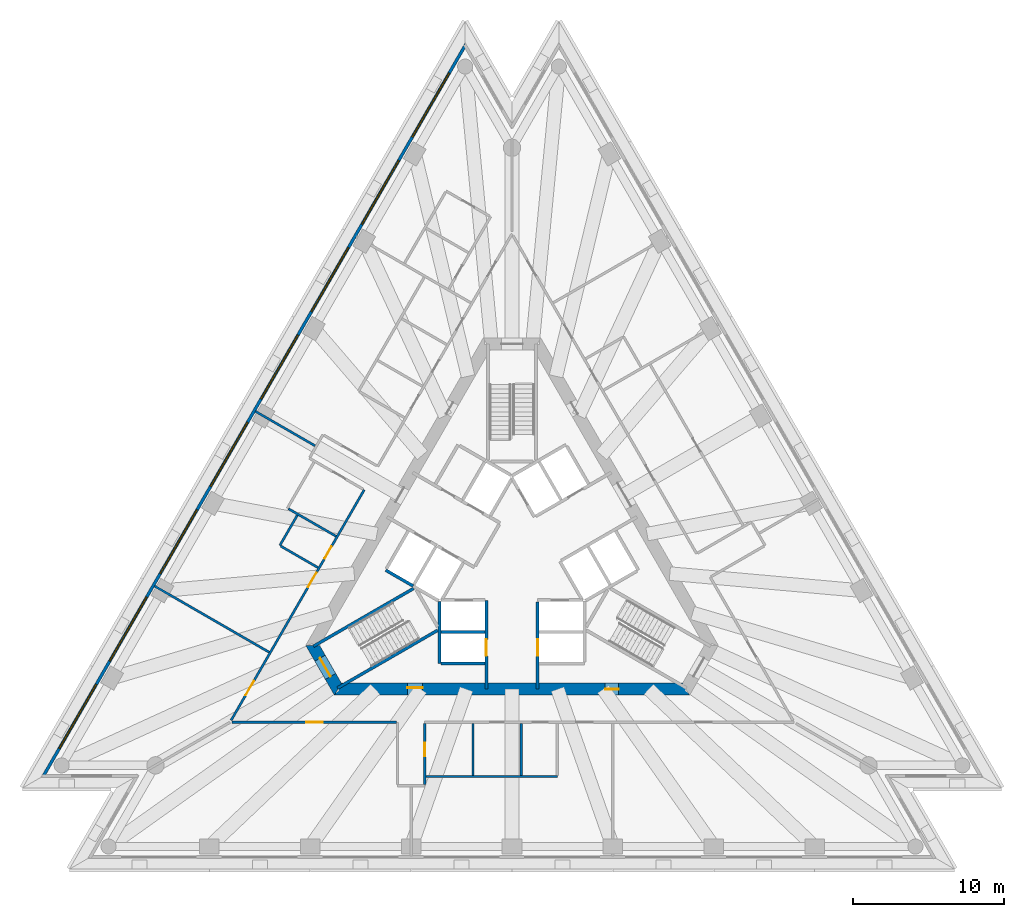
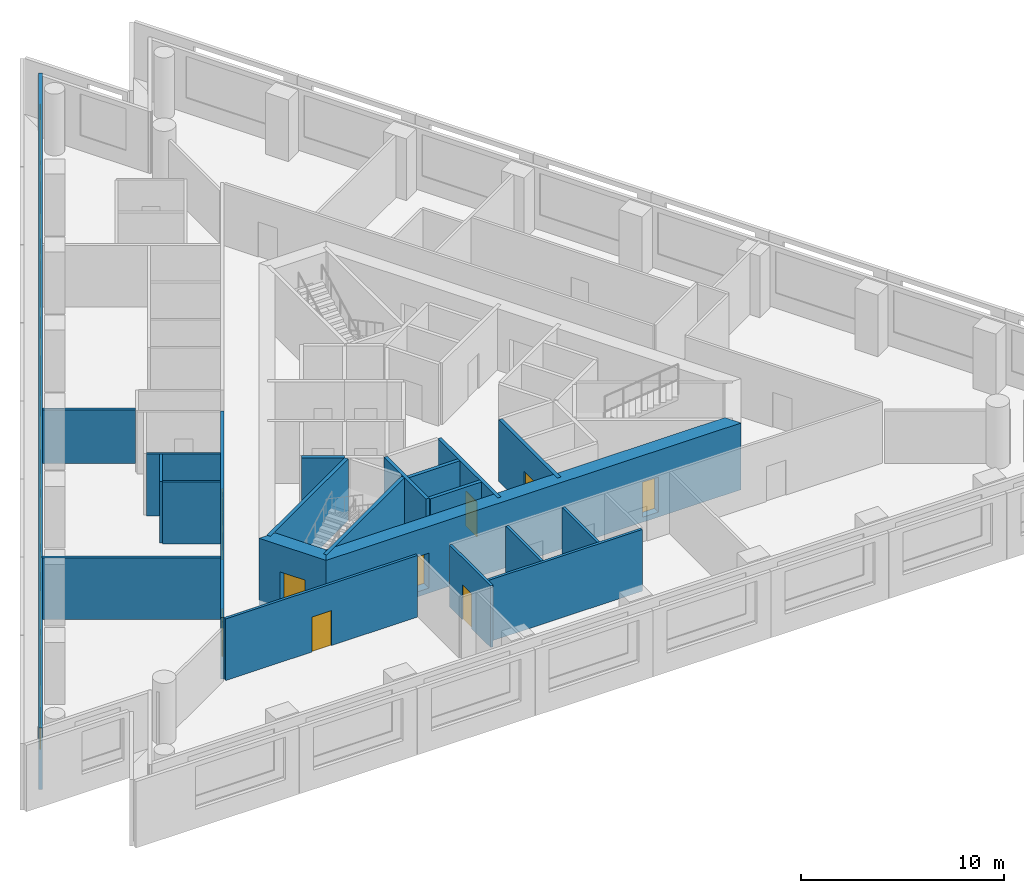
# One storey, part 3 of 9: 22 walls, 10 doors, 8 windows, 18 openings.
"""IFC4 building model written with IfcOpenShell, lengths in metres."""

from ifc_helpers import new_model, si_unit, direction, frame, frame_2d, origin, place, context, subcontext, project, spatial, polyline, rectangle, outline, extrude, material, layer, layer_set, layer_usage, type_object, element, fill, save


model = new_model("IFC4")

# Units and contexts
model_context = context("Model", 3, precision=1e-05, world=origin(), true_north=direction((0.0, 1.0)))
body_context = subcontext(model_context, "Body", "Model", "MODEL_VIEW")
ifc_project = project(units=[si_unit("LENGTHUNIT", "METRE"), si_unit("AREAUNIT", "SQUARE_METRE"), si_unit("VOLUMEUNIT", "CUBIC_METRE"), si_unit("PLANEANGLEUNIT", "RADIAN"), si_unit("MASSUNIT", "GRAM", prefix="KILO")], contexts=[model_context])

# Site, building, storey
site_placement = place(None, origin())
site = spatial("IfcSite", under=ifc_project, at=site_placement, CompositionType="ELEMENT")
building_placement = place(site_placement, origin())
building = spatial("IfcBuilding", under=site, at=building_placement, Name="Triada Interchange Tower", CompositionType="ELEMENT")
storey_placement = place(building_placement, frame((0.0, 0.0, 144.300048828125)))
storey = spatial("IfcBuildingStorey", under=building, at=storey_placement, Name="L33", CompositionType="ELEMENT", Elevation=144.300048828125)

# Walls
ifc_material_1 = material(Name="Concrete C30/37", Category="concrete")
ifc_layer_1 = layer(ifc_material_1, 0.199951171875)
ifc_layer_set_1 = layer_set([ifc_layer_1], Name="CORE WALL 200 EI 120")
wall_type_1 = type_object("IfcWallType", Name="CORE WALL 200 EI 120", PredefinedType="SOLIDWALL", material=ifc_layer_set_1)
wall_1_placement = place(storey_placement, frame((-8.3759765625, -0.70703125, 0.0), z_axis=(0.0, 0.0, 1.0), x_axis=(0.866067520717, -0.499927044236, 0.0)))
element("IfcWall", 1, at=wall_1_placement, inside=storey, type_object=wall_type_1, Name="Wall L32 46", PredefinedType="SOLIDWALL", context=body_context, shape_type="SweptSolid", body=[
    extrude(rectangle(XDim=2.100341796875, YDim=0.199951171875, at=frame_2d((1.05029296875, 0.0))), origin(), (0.0, 0.0, 1.0), 3.699951171875),
])
wall_2_placement = place(storey_placement, frame((-4.699951171875, -4.800048828125, 0.0), z_axis=(0.0, 0.0, 1.0), x_axis=(1.0, 0.0, 0.0)))
element("IfcWall", 2, at=wall_2_placement, inside=storey, type_object=wall_type_1, Name="Wall L32 48", PredefinedType="SOLIDWALL", context=body_context, shape_type="SweptSolid", body=[
    extrude(rectangle(XDim=2.89990234375, YDim=0.199951171875, at=frame_2d((1.449951171875, 0.0))), origin(), (0.0, 0.0, 1.0), 3.699951171875),
])
wall_3_placement = place(storey_placement, frame((-4.800048828125, -6.89990234375, 0.0), z_axis=(0.0, 0.0, 1.0), x_axis=(0.0, 1.0, 0.0)))
element("IfcWall", 3, at=wall_3_placement, inside=storey, type_object=wall_type_1, Name="Wall L32 50", PredefinedType="SOLIDWALL", context=body_context, shape_type="SweptSolid", body=[
    extrude(rectangle(XDim=4.130859375, YDim=0.199951171875, at=frame_2d((2.0654296875, 0.0))), origin(), (0.0, 0.0, 1.0), 3.699951171875),
])
wall_4_placement = place(storey_placement, frame((-4.699951171875, -6.89990234375, 0.0), z_axis=(0.0, 0.0, 1.0), x_axis=(1.0, 0.0, 0.0)))
element("IfcWall", 4, at=wall_4_placement, inside=storey, type_object=wall_type_1, Name="Wall L32 51", PredefinedType="SOLIDWALL", context=body_context, shape_type="SweptSolid", body=[
    extrude(rectangle(XDim=2.89990234375, YDim=0.199951171875, at=frame_2d((1.449951171875, 0.0))), origin(), (0.0, 0.0, 1.0), 3.699951171875),
])

# Wall, opening, door
wall_5_placement = place(storey_placement, frame((-1.699951171875, -8.580078125, 0.0), z_axis=(0.0, 0.0, 1.0), x_axis=(0.0, 1.0, 0.0)))
wall_5 = element("IfcWall", 5, at=wall_5_placement, inside=storey, type_object=wall_type_1, Name="Wall L32 53", PredefinedType="SOLIDWALL", context=body_context, shape_type="SweptSolid", body=[
    extrude(rectangle(XDim=5.877197265625, YDim=0.199951171875, at=frame_2d((2.9384765625, 0.0))), origin(), (0.0, 0.0, 1.0), 3.699951171875),
])
opening_1_placement = place(wall_5_placement, frame((2.179931640625, 0.0, 0.0)))
opening_1 = element("IfcOpeningElement", 6, at=opening_1_placement, cuts=wall_5, Name="Opening LD-LR4", PredefinedType="OPENING", context=body_context, shape_type="SweptSolid", body=[
    extrude(rectangle(XDim=1.10009765625, YDim=2.10009765625, at=frame_2d((0.550048828125, 1.050048828125))), frame((0.0, 0.10986328125, 0.0), z_axis=(0.0, -1.0, 0.0), x_axis=(1.0, 0.0, 0.0)), (0.0, 0.0, 1.0), 0.219970703125),
])
ifc_material_2 = material(Name="Steel S235 door leaf", Category="steel")
door_type_1 = type_object("IfcDoorType", Name="LIFT LANDING DOOR 1100 EI 120", OperationType="SLIDING_TO_LEFT", PredefinedType="DOOR", material=ifc_material_2)
door_1_placement = place(opening_1_placement, origin())
door_1 = element("IfcDoor", 7, at=door_1_placement, inside=storey, type_object=door_type_1, Name="LR4 landing door L33", OperationType="SLIDING_TO_LEFT", OverallHeight=2.10009765625, OverallWidth=1.10009765625, PredefinedType="DOOR", context=body_context, shape_type="SweptSolid", body=[
    extrude(rectangle(XDim=1.10009765625, YDim=2.10009765625, at=frame_2d((0.550048828125, 1.050048828125))), frame((0.0, 0.02490234375, 0.0), z_axis=(0.0, -1.0, 0.0), x_axis=(1.0, 0.0, 0.0)), (0.0, 0.0, 1.0), 0.050048828125),
])
fill(opening_1, door_1)

wall_6_placement = place(storey_placement, frame((1.699951171875, -8.580078125, 0.0), z_axis=(0.0, 0.0, 1.0), x_axis=(0.0, 1.0, 0.0)))
wall_6 = element("IfcWall", 8, at=wall_6_placement, inside=storey, type_object=wall_type_1, Name="Wall L32 60", PredefinedType="SOLIDWALL", context=body_context, shape_type="SweptSolid", body=[
    extrude(rectangle(XDim=5.777099609375, YDim=0.199951171875, at=frame_2d((2.888671875, 0.0))), origin(), (0.0, 0.0, 1.0), 3.699951171875),
])
opening_2_placement = place(wall_6_placement, frame((2.179931640625, 0.0, 0.0)))
opening_2 = element("IfcOpeningElement", 9, at=opening_2_placement, cuts=wall_6, Name="Opening LD-LR2", PredefinedType="OPENING", context=body_context, shape_type="SweptSolid", body=[
    extrude(rectangle(XDim=1.10009765625, YDim=2.10009765625, at=frame_2d((0.550048828125, 1.050048828125))), frame((0.0, 0.10986328125, 0.0), z_axis=(0.0, -1.0, 0.0), x_axis=(1.0, 0.0, 0.0)), (0.0, 0.0, 1.0), 0.219970703125),
])
door_2_placement = place(opening_2_placement, origin())
door_2 = element("IfcDoor", 10, at=door_2_placement, inside=storey, type_object=door_type_1, Name="LR2 landing door L33", OperationType="SLIDING_TO_LEFT", OverallHeight=2.10009765625, OverallWidth=1.10009765625, PredefinedType="DOOR", context=body_context, shape_type="SweptSolid", body=[
    extrude(rectangle(XDim=1.10009765625, YDim=2.10009765625, at=frame_2d((0.550048828125, 1.050048828125))), frame((0.0, 0.02490234375, 0.0), z_axis=(0.0, -1.0, 0.0), x_axis=(1.0, 0.0, 0.0)), (0.0, 0.0, 1.0), 0.050048828125),
])
fill(opening_2, door_2)

# Walls
ifc_layer_2 = layer(ifc_material_1, 0.199951171875)
ifc_layer_set_2 = layer_set([ifc_layer_2], Name="CORE WALL 200 REI 240")
wall_type_2 = type_object("IfcWallType", Name="CORE WALL 200 REI 240", PredefinedType="SOLIDWALL", material=ifc_layer_set_2)
wall_7_placement = place(storey_placement, frame((-13.1669921875, -5.75390625, 0.0), z_axis=(0.0, 0.0, 1.0), x_axis=(0.866060938598, 0.499938446846, 0.0)))
element("IfcWall", 11, at=wall_7_placement, inside=storey, type_object=wall_type_2, Name="Wall L32 83", PredefinedType="SOLIDWALL", context=body_context, shape_type="SweptSolid", body=[
    extrude(rectangle(XDim=7.66455078125, YDim=0.199951171875, at=frame_2d((3.832275390625, 0.0))), origin(), (0.0, 0.0, 1.0), 3.699951171875),
])
wall_8_placement = place(storey_placement, frame((-11.56689453125, -8.52587890625, 0.0), z_axis=(0.0, 0.0, 1.0), x_axis=(0.866005769735, 0.50003400563, 0.0)))
element("IfcWall", 12, at=wall_8_placement, inside=storey, type_object=wall_type_2, Name="Wall L32 85", PredefinedType="SOLIDWALL", context=body_context, shape_type="SweptSolid", body=[
    extrude(rectangle(XDim=7.6650390625, YDim=0.199951171875, at=frame_2d((3.83251953125, 0.0))), origin(), (0.0, 0.0, 1.0), 3.699951171875),
])

# Wall, opening, door
ifc_material_3 = material(Name="Concrete C60/75", Category="concrete")
ifc_layer_3 = layer(ifc_material_3, 0.800048828125)
ifc_layer_set_3 = layer_set([ifc_layer_3], Name="Core wall B 800")
wall_type_3 = type_object("IfcWallType", Name="Core wall B 800", PredefinedType="SHEAR", material=ifc_layer_set_3)
wall_9_placement = place(storey_placement, frame((-13.220947265625, -5.699951171875, -0.300048828125), z_axis=(0.0, 0.0, 1.0), x_axis=(0.49987182685, -0.866099391942, 0.0)))
wall_9 = element("IfcWall", 13, at=wall_9_placement, inside=storey, type_object=wall_type_3, Name="Core wall WB03 L33", PredefinedType="SHEAR", context=body_context, shape_type="SweptSolid", body=[
    extrude(outline(polyline([(-0.23095703125, -0.39990234375), (1.674072265625, -0.39990234375), (3.5791015625, -0.39990234375), (3.117919921875, 0.39990234375), (1.67431640625, 0.39990234375), (0.23095703125, 0.39990234375), (-0.23095703125, -0.39990234375)])), origin(), (0.0, 0.0, 1.0), 4.0),
])
opening_3_placement = place(wall_9_placement, frame((0.97412109375, 0.0, 0.300048828125)))
opening_3 = element("IfcOpeningElement", 14, at=opening_3_placement, cuts=wall_9, Name="Opening D32-36", PredefinedType="OPENING", context=body_context, shape_type="SweptSolid", body=[
    extrude(rectangle(XDim=1.39990234375, YDim=2.10009765625, at=frame_2d((0.699951171875, 1.050048828125))), frame((0.0, 0.409912109375, 0.0), z_axis=(0.0, -1.0, 0.0), x_axis=(1.0, 0.0, 0.0)), (0.0, 0.0, 1.0), 0.820068359375),
])
door_type_2 = type_object("IfcDoorType", Name="STAIR DOOR 1400 EI2 90-C5S200", OperationType="DOUBLE_DOOR_SINGLE_SWING", PredefinedType="DOOR", material=ifc_material_2)
door_3_placement = place(opening_3_placement, origin())
door_3 = element("IfcDoor", 15, at=door_3_placement, inside=storey, type_object=door_type_2, Name="Door D32-36 L33", OperationType="DOUBLE_DOOR_SINGLE_SWING", OverallHeight=2.10009765625, OverallWidth=1.39990234375, PredefinedType="DOOR", context=body_context, shape_type="SweptSolid", body=[
    extrude(rectangle(XDim=1.39990234375, YDim=2.10009765625, at=frame_2d((0.699951171875, 1.050048828125))), frame((0.0, 0.02490234375, 0.0), z_axis=(0.0, -1.0, 0.0), x_axis=(1.0, 0.0, 0.0)), (0.0, 0.0, 1.0), 0.050048828125),
])
fill(opening_3, door_3)

# Wall, openings, doors
wall_10_placement = place(storey_placement, frame((-11.547119140625, -8.60009765625, -0.300048828125), z_axis=(0.0, 0.0, 1.0), x_axis=(1.0, 0.0, 0.0)))
wall_10 = element("IfcWall", 16, at=wall_10_placement, inside=storey, type_object=wall_type_3, Name="Core wall WB04 L33", PredefinedType="SHEAR", context=body_context, shape_type="SweptSolid", body=[
    extrude(outline(polyline([(-0.23095703125, -0.39990234375), (1.73193359375, -0.39990234375), (3.695068359375, -0.39990234375), (5.657958984375, -0.39990234375), (7.62109375, -0.39990234375), (9.583984375, -0.39990234375), (11.546875, -0.39990234375), (13.510009765625, -0.39990234375), (15.472900390625, -0.39990234375), (17.43603515625, -0.39990234375), (19.39892578125, -0.39990234375), (21.362060546875, -0.39990234375), (23.324951171875, -0.39990234375), (22.863037109375, 0.39990234375), (20.97705078125, 0.39990234375), (19.091064453125, 0.39990234375), (17.205078125, 0.39990234375), (15.319091796875, 0.39990234375), (13.43310546875, 0.39990234375), (11.546875, 0.39990234375), (9.660888671875, 0.39990234375), (7.77490234375, 0.39990234375), (5.888916015625, 0.39990234375), (4.0029296875, 0.39990234375), (2.116943359375, 0.39990234375), (0.23095703125, 0.39990234375), (-0.23095703125, -0.39990234375)])), origin(), (0.0, 0.0, 1.0), 4.0),
])
opening_4_placement = place(wall_10_placement, frame((4.612060546875, 0.0, 0.300048828125)))
opening_4 = element("IfcOpeningElement", 17, at=opening_4_placement, cuts=wall_10, Name="Opening D32-39", PredefinedType="OPENING", context=body_context, shape_type="SweptSolid", body=[
    extrude(rectangle(XDim=1.0, YDim=2.10009765625, at=frame_2d((0.5, 1.050048828125))), frame((0.0, 0.409912109375, 0.0), z_axis=(0.0, -1.0, 0.0), x_axis=(1.0, 0.0, 0.0)), (0.0, 0.0, 1.0), 0.820068359375),
])
opening_5_placement = place(wall_10_placement, frame((17.721923828125, 0.0, 0.300048828125)))
opening_5 = element("IfcOpeningElement", 18, at=opening_5_placement, cuts=wall_10, Name="Opening D32-42", PredefinedType="OPENING", context=body_context, shape_type="SweptSolid", body=[
    extrude(rectangle(XDim=0.89990234375, YDim=2.10009765625, at=frame_2d((0.449951171875, 1.050048828125))), frame((0.0, 0.409912109375, 0.0), z_axis=(0.0, -1.0, 0.0), x_axis=(1.0, 0.0, 0.0)), (0.0, 0.0, 1.0), 0.820068359375),
])
door_type_3 = type_object("IfcDoorType", Name="RISER ACCESS DOOR 900 EI2 45-C5S200", OperationType="NOTDEFINED", PredefinedType="DOOR", material=ifc_material_2)
door_4_placement = place(opening_5_placement, origin())
door_4 = element("IfcDoor", 19, at=door_4_placement, inside=storey, type_object=door_type_3, Name="Door D32-42 L33", OperationType="SINGLE_SWING_LEFT", OverallHeight=2.10009765625, OverallWidth=0.89990234375, PredefinedType="DOOR", context=body_context, shape_type="SweptSolid", body=[
    extrude(rectangle(XDim=0.89990234375, YDim=2.10009765625, at=frame_2d((0.449951171875, 1.050048828125))), frame((0.0, 0.02490234375, 0.0), z_axis=(0.0, -1.0, 0.0), x_axis=(1.0, 0.0, 0.0)), (0.0, 0.0, 1.0), 0.050048828125),
])
fill(opening_5, door_4)
door_type_4 = type_object("IfcDoorType", Name="SERVICE DOOR 1000 EI2 45-C5S200", OperationType="NOTDEFINED", PredefinedType="DOOR", material=ifc_material_2)
door_5_placement = place(opening_4_placement, origin())
door_5 = element("IfcDoor", 20, at=door_5_placement, inside=storey, type_object=door_type_4, Name="Door D32-39 L33", OperationType="SINGLE_SWING_LEFT", OverallHeight=2.10009765625, OverallWidth=1.0, PredefinedType="DOOR", context=body_context, shape_type="SweptSolid", body=[
    extrude(rectangle(XDim=1.0, YDim=2.10009765625, at=frame_2d((0.5, 1.050048828125))), frame((0.0, 0.125, 0.0), z_axis=(0.0, -1.0, 0.0), x_axis=(1.0, 0.0, 0.0)), (0.0, 0.0, 1.0), 0.050048828125),
])
fill(opening_4, door_5)

# Wall, openings, windows
ifc_material_4 = material(Name="Cement board")
ifc_layer_4 = layer(ifc_material_4, 0.02001953125, Name="Cement board cladding")
ifc_material_5 = material(Name="Sheathing board")
ifc_layer_5 = layer(ifc_material_5, 0.014892578125, Name="Sheathing board")
ifc_material_6 = material(Name="Mineral wool")
ifc_layer_6 = layer(ifc_material_6, 0.14990234375, Name="Mineral wool between steel studs")
ifc_material_7 = material(Name="Gypsum board")
ifc_layer_7 = layer(ifc_material_7, 0.014892578125, Name="Plasterboard lining")
ifc_layer_set_4 = layer_set([ifc_layer_4, ifc_layer_5, ifc_layer_6, ifc_layer_7], Name="External wall 200")
ifc_layer_usage = layer_usage(ifc_layer_set_4, "AXIS2", "POSITIVE", -0.10009765625)
wall_type_4 = type_object("IfcWallType", Name="External wall 200", PredefinedType="ELEMENTEDWALL", material=ifc_layer_set_4)
wall_11_placement = place(storey_placement, frame((-3.06298828125, 34.172119140625, 0.0), z_axis=(0.0, 0.0, 1.0), x_axis=(-0.500008098571, -0.866020728022, 0.0)))
wall_11 = element("IfcWall", 21, at=wall_11_placement, inside=storey, type_object=wall_type_4, material=ifc_layer_usage, Name="External wall L33 NW", PredefinedType="ELEMENTEDWALL", context=body_context, shape_type="SweptSolid", body=[
    extrude(rectangle(XDim=56.10498046875, YDim=0.199951171875, at=frame_2d((28.052490234375, 0.0))), origin(), (0.0, 0.0, 1.0), 3.699951171875),
])
opening_6_placement = place(wall_11_placement, frame((2.197021484375, 0.0, 0.89990234375)))
opening_6 = element("IfcOpeningElement", 22, at=opening_6_placement, cuts=wall_11, Name="Opening WB01", PredefinedType="OPENING", context=body_context, shape_type="SweptSolid", body=[
    extrude(rectangle(XDim=4.89990234375, YDim=2.5, at=frame_2d((2.449951171875, 1.25))), frame((0.0, 0.10986328125, 0.0), z_axis=(0.0, -1.0, 0.0), x_axis=(1.0, 0.0, 0.0)), (0.0, 0.0, 1.0), 0.219970703125),
])
opening_7_placement = place(wall_11_placement, frame((8.886962890625, 0.0, 0.89990234375)))
opening_7 = element("IfcOpeningElement", 23, at=opening_7_placement, cuts=wall_11, Name="Opening WB02", PredefinedType="OPENING", context=body_context, shape_type="SweptSolid", body=[
    extrude(rectangle(XDim=4.89990234375, YDim=2.5, at=frame_2d((2.449951171875, 1.25))), frame((0.0, 0.10986328125, 0.0), z_axis=(0.0, -1.0, 0.0), x_axis=(1.0, 0.0, 0.0)), (0.0, 0.0, 1.0), 0.219970703125),
])
opening_8_placement = place(wall_11_placement, frame((15.576904296875, 0.0, 0.89990234375)))
opening_8 = element("IfcOpeningElement", 24, at=opening_8_placement, cuts=wall_11, Name="Opening WB03", PredefinedType="OPENING", context=body_context, shape_type="SweptSolid", body=[
    extrude(rectangle(XDim=4.89990234375, YDim=2.5, at=frame_2d((2.449951171875, 1.25))), frame((0.0, 0.10986328125, 0.0), z_axis=(0.0, -1.0, 0.0), x_axis=(1.0, 0.0, 0.0)), (0.0, 0.0, 1.0), 0.219970703125),
])
opening_9_placement = place(wall_11_placement, frame((22.26708984375, 0.0, 0.89990234375)))
opening_9 = element("IfcOpeningElement", 25, at=opening_9_placement, cuts=wall_11, Name="Opening WB04", PredefinedType="OPENING", context=body_context, shape_type="SweptSolid", body=[
    extrude(rectangle(XDim=4.89990234375, YDim=2.5, at=frame_2d((2.449951171875, 1.25))), frame((0.0, 0.10986328125, 0.0), z_axis=(0.0, -1.0, 0.0), x_axis=(1.0, 0.0, 0.0)), (0.0, 0.0, 1.0), 0.219970703125),
])
opening_10_placement = place(wall_11_placement, frame((28.95703125, 0.0, 0.89990234375)))
opening_10 = element("IfcOpeningElement", 26, at=opening_10_placement, cuts=wall_11, Name="Opening WB05", PredefinedType="OPENING", context=body_context, shape_type="SweptSolid", body=[
    extrude(rectangle(XDim=4.89990234375, YDim=2.5, at=frame_2d((2.449951171875, 1.25))), frame((0.0, 0.10986328125, 0.0), z_axis=(0.0, -1.0, 0.0), x_axis=(1.0, 0.0, 0.0)), (0.0, 0.0, 1.0), 0.219970703125),
])
opening_11_placement = place(wall_11_placement, frame((35.64697265625, 0.0, 0.89990234375)))
opening_11 = element("IfcOpeningElement", 27, at=opening_11_placement, cuts=wall_11, Name="Opening WB06", PredefinedType="OPENING", context=body_context, shape_type="SweptSolid", body=[
    extrude(rectangle(XDim=4.89990234375, YDim=2.5, at=frame_2d((2.449951171875, 1.25))), frame((0.0, 0.10986328125, 0.0), z_axis=(0.0, -1.0, 0.0), x_axis=(1.0, 0.0, 0.0)), (0.0, 0.0, 1.0), 0.219970703125),
])
opening_12_placement = place(wall_11_placement, frame((42.3369140625, 0.0, 0.89990234375)))
opening_12 = element("IfcOpeningElement", 28, at=opening_12_placement, cuts=wall_11, Name="Opening WB07", PredefinedType="OPENING", context=body_context, shape_type="SweptSolid", body=[
    extrude(rectangle(XDim=4.89990234375, YDim=2.5, at=frame_2d((2.449951171875, 1.25))), frame((0.0, 0.10986328125, 0.0), z_axis=(0.0, -1.0, 0.0), x_axis=(1.0, 0.0, 0.0)), (0.0, 0.0, 1.0), 0.219970703125),
])
opening_13_placement = place(wall_11_placement, frame((49.027099609375, 0.0, 0.89990234375)))
opening_13 = element("IfcOpeningElement", 29, at=opening_13_placement, cuts=wall_11, Name="Opening WB08", PredefinedType="OPENING", context=body_context, shape_type="SweptSolid", body=[
    extrude(rectangle(XDim=4.89990234375, YDim=2.5, at=frame_2d((2.449951171875, 1.25))), frame((0.0, 0.10986328125, 0.0), z_axis=(0.0, -1.0, 0.0), x_axis=(1.0, 0.0, 0.0)), (0.0, 0.0, 1.0), 0.219970703125),
])
ifc_material_8 = material(Name="Double glazed aluminium window", Category="aluminium")
window_type = type_object("IfcWindowType", Name="Ribbon window B face", PartitioningType="SINGLE_PANEL", PredefinedType="WINDOW", material=ifc_material_8)
window_1_placement = place(opening_6_placement, origin())
window_1 = element("IfcWindow", 30, at=window_1_placement, inside=storey, type_object=window_type, Name="Window L33 NW 1", OverallHeight=2.5, OverallWidth=4.89990234375, PartitioningType="SINGLE_PANEL", PredefinedType="WINDOW", context=body_context, shape_type="SweptSolid", body=[
    extrude(rectangle(XDim=4.89990234375, YDim=2.5, at=frame_2d((2.449951171875, 1.25))), frame((0.0, 0.030029296875, 0.0), z_axis=(0.0, -1.0, 0.0), x_axis=(1.0, 0.0, 0.0)), (0.0, 0.0, 1.0), 0.06005859375),
])
fill(opening_6, window_1)
window_2_placement = place(opening_7_placement, origin())
window_2 = element("IfcWindow", 31, at=window_2_placement, inside=storey, type_object=window_type, Name="Window L33 NW 2", OverallHeight=2.5, OverallWidth=4.89990234375, PartitioningType="SINGLE_PANEL", PredefinedType="WINDOW", context=body_context, shape_type="SweptSolid", body=[
    extrude(rectangle(XDim=4.89990234375, YDim=2.5, at=frame_2d((2.449951171875, 1.25))), frame((0.0, 0.030029296875, 0.0), z_axis=(0.0, -1.0, 0.0), x_axis=(1.0, 0.0, 0.0)), (0.0, 0.0, 1.0), 0.06005859375),
])
fill(opening_7, window_2)
window_3_placement = place(opening_8_placement, origin())
window_3 = element("IfcWindow", 32, at=window_3_placement, inside=storey, type_object=window_type, Name="Window L33 NW 3", OverallHeight=2.5, OverallWidth=4.89990234375, PartitioningType="SINGLE_PANEL", PredefinedType="WINDOW", context=body_context, shape_type="SweptSolid", body=[
    extrude(rectangle(XDim=4.89990234375, YDim=2.5, at=frame_2d((2.449951171875, 1.25))), frame((0.0, 0.030029296875, 0.0), z_axis=(0.0, -1.0, 0.0), x_axis=(1.0, 0.0, 0.0)), (0.0, 0.0, 1.0), 0.06005859375),
])
fill(opening_8, window_3)
window_4_placement = place(opening_9_placement, origin())
window_4 = element("IfcWindow", 33, at=window_4_placement, inside=storey, type_object=window_type, Name="Window L33 NW 4", OverallHeight=2.5, OverallWidth=4.89990234375, PartitioningType="SINGLE_PANEL", PredefinedType="WINDOW", context=body_context, shape_type="SweptSolid", body=[
    extrude(rectangle(XDim=4.89990234375, YDim=2.5, at=frame_2d((2.449951171875, 1.25))), frame((0.0, 0.030029296875, 0.0), z_axis=(0.0, -1.0, 0.0), x_axis=(1.0, 0.0, 0.0)), (0.0, 0.0, 1.0), 0.06005859375),
])
fill(opening_9, window_4)
window_5_placement = place(opening_10_placement, origin())
window_5 = element("IfcWindow", 34, at=window_5_placement, inside=storey, type_object=window_type, Name="Window L33 NW 5", OverallHeight=2.5, OverallWidth=4.89990234375, PartitioningType="SINGLE_PANEL", PredefinedType="WINDOW", context=body_context, shape_type="SweptSolid", body=[
    extrude(rectangle(XDim=4.89990234375, YDim=2.5, at=frame_2d((2.449951171875, 1.25))), frame((0.0, 0.030029296875, 0.0), z_axis=(0.0, -1.0, 0.0), x_axis=(1.0, 0.0, 0.0)), (0.0, 0.0, 1.0), 0.06005859375),
])
fill(opening_10, window_5)
window_6_placement = place(opening_11_placement, origin())
window_6 = element("IfcWindow", 35, at=window_6_placement, inside=storey, type_object=window_type, Name="Window L33 NW 6", OverallHeight=2.5, OverallWidth=4.89990234375, PartitioningType="SINGLE_PANEL", PredefinedType="WINDOW", context=body_context, shape_type="SweptSolid", body=[
    extrude(rectangle(XDim=4.89990234375, YDim=2.5, at=frame_2d((2.449951171875, 1.25))), frame((0.0, 0.030029296875, 0.0), z_axis=(0.0, -1.0, 0.0), x_axis=(1.0, 0.0, 0.0)), (0.0, 0.0, 1.0), 0.06005859375),
])
fill(opening_11, window_6)
window_7_placement = place(opening_12_placement, origin())
window_7 = element("IfcWindow", 36, at=window_7_placement, inside=storey, type_object=window_type, Name="Window L33 NW 7", OverallHeight=2.5, OverallWidth=4.89990234375, PartitioningType="SINGLE_PANEL", PredefinedType="WINDOW", context=body_context, shape_type="SweptSolid", body=[
    extrude(rectangle(XDim=4.89990234375, YDim=2.5, at=frame_2d((2.449951171875, 1.25))), frame((0.0, 0.030029296875, 0.0), z_axis=(0.0, -1.0, 0.0), x_axis=(1.0, 0.0, 0.0)), (0.0, 0.0, 1.0), 0.06005859375),
])
fill(opening_12, window_7)
window_8_placement = place(opening_13_placement, origin())
window_8 = element("IfcWindow", 37, at=window_8_placement, inside=storey, type_object=window_type, Name="Window L33 NW 8", OverallHeight=2.5, OverallWidth=4.89990234375, PartitioningType="SINGLE_PANEL", PredefinedType="WINDOW", context=body_context, shape_type="SweptSolid", body=[
    extrude(rectangle(XDim=4.89990234375, YDim=2.5, at=frame_2d((2.449951171875, 1.25))), frame((0.0, 0.030029296875, 0.0), z_axis=(0.0, -1.0, 0.0), x_axis=(1.0, 0.0, 0.0)), (0.0, 0.0, 1.0), 0.06005859375),
])
fill(opening_13, window_8)

# Wall
ifc_material_9 = material(Name="Gypsum board partition")
ifc_layer_8 = layer(ifc_material_9, 0.14990234375)
ifc_layer_set_5 = layer_set([ifc_layer_8], Name="PARTITION 150 EI 180")
wall_type_5 = type_object("IfcWallType", Name="PARTITION 150 EI 180", PredefinedType="PARTITIONING", material=ifc_layer_set_5)
wall_12_placement = place(storey_placement, frame((-23.715087890625, -1.758056640625, 0.0), z_axis=(0.0, 0.0, 1.0), x_axis=(0.866033311227, -0.499986303657, 0.0)))
element("IfcWall", 38, at=wall_12_placement, inside=storey, type_object=wall_type_5, Name="Wall L32 2", PredefinedType="PARTITIONING", context=body_context, shape_type="SweptSolid", body=[
    extrude(rectangle(XDim=8.783935546875, YDim=0.14990234375, at=frame_2d((4.39208984375, 0.0))), origin(), (0.0, 0.0, 1.0), 3.699951171875),
])

# Wall, opening, door
wall_13_placement = place(storey_placement, frame((-18.555908203125, -10.800048828125, 0.0), z_axis=(0.0, 0.0, 1.0), x_axis=(1.0, 0.0, 0.0)))
wall_13 = element("IfcWall", 39, at=wall_13_placement, inside=storey, type_object=wall_type_5, Name="Wall L32 5", PredefinedType="PARTITIONING", context=body_context, shape_type="SweptSolid", body=[
    extrude(rectangle(XDim=10.889892578125, YDim=0.14990234375, at=frame_2d((5.44482421875, 0.0))), origin(), (0.0, 0.0, 1.0), 3.699951171875),
])
opening_14_placement = place(wall_13_placement, frame((4.89990234375, 0.0, 0.0)))
opening_14 = element("IfcOpeningElement", 40, at=opening_14_placement, cuts=wall_13, Name="Opening D32-11", PredefinedType="OPENING", context=body_context, shape_type="SweptSolid", body=[
    extrude(rectangle(XDim=1.10009765625, YDim=2.10009765625, at=frame_2d((0.550048828125, 1.050048828125))), frame((0.0, 0.0849609375, 0.0), z_axis=(0.0, -1.0, 0.0), x_axis=(1.0, 0.0, 0.0)), (0.0, 0.0, 1.0), 0.169921875),
])
door_type_5 = type_object("IfcDoorType", Name="TENANCY ENTRANCE DOOR 1100 EI2 90-C5S200", OperationType="NOTDEFINED", PredefinedType="DOOR", material=ifc_material_2)
door_6_placement = place(opening_14_placement, origin())
door_6 = element("IfcDoor", 41, at=door_6_placement, inside=storey, type_object=door_type_5, Name="Door D32-11 L33", OperationType="SINGLE_SWING_RIGHT", OverallHeight=2.10009765625, OverallWidth=1.10009765625, PredefinedType="DOOR", context=body_context, shape_type="SweptSolid", body=[
    extrude(rectangle(XDim=1.10009765625, YDim=2.10009765625, at=frame_2d((0.550048828125, 1.050048828125))), frame((0.0, 0.02490234375, 0.0), z_axis=(0.0, -1.0, 0.0), x_axis=(1.0, 0.0, 0.0)), (0.0, 0.0, 1.0), 0.050048828125),
])
fill(opening_14, door_6)

# Wall, openings, doors
wall_14_placement = place(storey_placement, frame((-18.631103515625, -10.6689453125, 0.0), z_axis=(0.0, 0.0, 1.0), x_axis=(0.50004165882, 0.866001350717, 0.0)))
wall_14 = element("IfcWall", 42, at=wall_14_placement, inside=storey, type_object=wall_type_5, Name="Wall L32 7", PredefinedType="PARTITIONING", context=body_context, shape_type="SweptSolid", body=[
    extrude(rectangle(XDim=17.65478515625, YDim=0.14990234375, at=frame_2d((8.827392578125, 0.0))), origin(), (0.0, 0.0, 1.0), 3.699951171875),
])
opening_15_placement = place(wall_14_placement, frame((10.2060546875, 0.0, 0.0)))
opening_15 = element("IfcOpeningElement", 43, at=opening_15_placement, cuts=wall_14, Name="Opening D32-30", PredefinedType="OPENING", context=body_context, shape_type="SweptSolid", body=[
    extrude(rectangle(XDim=1.10009765625, YDim=2.10009765625, at=frame_2d((0.550048828125, 1.050048828125))), frame((0.0, 0.0849609375, 0.0), z_axis=(0.0, -1.0, 0.0), x_axis=(1.0, 0.0, 0.0)), (0.0, 0.0, 1.0), 0.169921875),
])
opening_16_placement = place(wall_14_placement, frame((12.406005859375, 0.0, 0.0)))
opening_16 = element("IfcOpeningElement", 44, at=opening_16_placement, cuts=wall_14, Name="Opening D32-32", PredefinedType="OPENING", context=body_context, shape_type="SweptSolid", body=[
    extrude(rectangle(XDim=0.89990234375, YDim=2.10009765625, at=frame_2d((0.449951171875, 1.050048828125))), frame((0.0, 0.0849609375, 0.0), z_axis=(0.0, -1.0, 0.0), x_axis=(1.0, 0.0, 0.0)), (0.0, 0.0, 1.0), 0.169921875),
])
opening_17_placement = place(wall_14_placement, frame((1.925048828125, 0.0, 0.0)))
opening_17 = element("IfcOpeningElement", 45, at=opening_17_placement, cuts=wall_14, Name="Opening D32-33", PredefinedType="OPENING", context=body_context, shape_type="SweptSolid", body=[
    extrude(rectangle(XDim=1.10009765625, YDim=2.10009765625, at=frame_2d((0.550048828125, 1.050048828125))), frame((0.0, 0.0849609375, 0.0), z_axis=(0.0, -1.0, 0.0), x_axis=(1.0, 0.0, 0.0)), (0.0, 0.0, 1.0), 0.169921875),
])
door_type_6 = type_object("IfcDoorType", Name="ROOM DOOR 900 EI2 90-C5S200", OperationType="NOTDEFINED", PredefinedType="DOOR", material=ifc_material_2)
door_7_placement = place(opening_16_placement, origin())
door_7 = element("IfcDoor", 46, at=door_7_placement, inside=storey, type_object=door_type_6, Name="Door D32-32 L33", OperationType="SINGLE_SWING_LEFT", OverallHeight=2.10009765625, OverallWidth=0.89990234375, PredefinedType="DOOR", context=body_context, shape_type="SweptSolid", body=[
    extrude(rectangle(XDim=0.89990234375, YDim=2.10009765625, at=frame_2d((0.449951171875, 1.050048828125))), frame((0.0, 0.02490234375, 0.0), z_axis=(0.0, -1.0, 0.0), x_axis=(1.0, 0.0, 0.0)), (0.0, 0.0, 1.0), 0.050048828125),
])
fill(opening_16, door_7)
door_8_placement = place(opening_15_placement, origin())
door_8 = element("IfcDoor", 47, at=door_8_placement, inside=storey, type_object=door_type_5, Name="Door D32-30 L33", OperationType="SINGLE_SWING_LEFT", OverallHeight=2.10009765625, OverallWidth=1.10009765625, PredefinedType="DOOR", context=body_context, shape_type="SweptSolid", body=[
    extrude(rectangle(XDim=1.10009765625, YDim=2.10009765625, at=frame_2d((0.550048828125, 1.050048828125))), frame((0.0, 0.02490234375, 0.0), z_axis=(0.0, -1.0, 0.0), x_axis=(1.0, 0.0, 0.0)), (0.0, 0.0, 1.0), 0.050048828125),
])
fill(opening_15, door_8)
door_9_placement = place(opening_17_placement, origin())
door_9 = element("IfcDoor", 48, at=door_9_placement, inside=storey, type_object=door_type_5, Name="Door D32-33 L33", OperationType="SINGLE_SWING_LEFT", OverallHeight=2.10009765625, OverallWidth=1.10009765625, PredefinedType="DOOR", context=body_context, shape_type="SweptSolid", body=[
    extrude(rectangle(XDim=1.10009765625, YDim=2.10009765625, at=frame_2d((0.550048828125, 1.050048828125))), frame((0.0, 0.02490234375, 0.0), z_axis=(0.0, -1.0, 0.0), x_axis=(1.0, 0.0, 0.0)), (0.0, 0.0, 1.0), 0.050048828125),
])
fill(opening_17, door_9)

# Walls
wall_15_placement = place(storey_placement, frame((-17.02490234375, 9.830078125, 0.0), z_axis=(0.0, 0.0, 1.0), x_axis=(0.866032154434, -0.49998830735, 0.0)))
element("IfcWall", 49, at=wall_15_placement, inside=storey, type_object=wall_type_5, Name="Wall L32 9", PredefinedType="PARTITIONING", context=body_context, shape_type="SweptSolid", body=[
    extrude(rectangle(XDim=4.583984375, YDim=0.14990234375, at=frame_2d((2.2919921875, 0.0))), origin(), (0.0, 0.0, 1.0), 3.199951171875),
])
wall_16_placement = place(storey_placement, frame((-14.8291015625, 3.365966796875, 0.0), z_axis=(0.0, 0.0, 1.0), x_axis=(0.866040790738, -0.499973348067, 0.0)))
element("IfcWall", 50, at=wall_16_placement, inside=storey, type_object=wall_type_5, Name="Wall L32 12", PredefinedType="PARTITIONING", context=body_context, shape_type="SweptSolid", body=[
    extrude(rectangle(XDim=3.650146484375, YDim=0.14990234375, at=frame_2d((1.8251953125, 0.0))), origin(), (0.0, 0.0, 1.0), 3.699951171875),
])
wall_17_placement = place(storey_placement, frame((-15.40087890625, 0.925048828125, 0.0), z_axis=(0.0, 0.0, 1.0), x_axis=(0.500216356891, 0.865900454035, 0.0)))
element("IfcWall", 51, at=wall_17_placement, inside=storey, type_object=wall_type_5, Name="Wall L32 13", PredefinedType="PARTITIONING", context=body_context, shape_type="SweptSolid", body=[
    extrude(rectangle(XDim=2.32470703125, YDim=0.14990234375, at=frame_2d((1.162353515625, 0.0))), origin(), (0.0, 0.0, 1.0), 3.699951171875),
])
wall_18_placement = place(storey_placement, frame((-15.3359375, 0.886962890625, 0.0), z_axis=(0.0, 0.0, 1.0), x_axis=(0.866004402611, -0.500036373335, 0.0)))
element("IfcWall", 52, at=wall_18_placement, inside=storey, type_object=wall_type_5, Name="Wall L32 14", PredefinedType="PARTITIONING", context=body_context, shape_type="SweptSolid", body=[
    extrude(rectangle(XDim=2.849853515625, YDim=0.14990234375, at=frame_2d((1.4248046875, 0.0))), origin(), (0.0, 0.0, 1.0), 3.699951171875),
])

# Wall, opening, door
wall_19_placement = place(storey_placement, frame((-5.7900390625, -14.925048828125, 0.0), z_axis=(0.0, 0.0, 1.0), x_axis=(0.0, 1.0, 0.0)))
wall_19 = element("IfcWall", 53, at=wall_19_placement, inside=storey, type_object=wall_type_5, Name="Wall L32 24", PredefinedType="PARTITIONING", context=body_context, shape_type="SweptSolid", body=[
    extrude(rectangle(XDim=4.049072265625, YDim=0.14990234375, at=frame_2d((2.0244140625, 0.0))), origin(), (0.0, 0.0, 1.0), 3.699951171875),
])
opening_18_placement = place(wall_19_placement, frame((1.875, 0.0, 0.0)))
opening_18 = element("IfcOpeningElement", 54, at=opening_18_placement, cuts=wall_19, Name="Opening D32-13", PredefinedType="OPENING", context=body_context, shape_type="SweptSolid", body=[
    extrude(rectangle(XDim=0.89990234375, YDim=2.10009765625, at=frame_2d((0.449951171875, 1.050048828125))), frame((0.0, 0.0849609375, 0.0), z_axis=(0.0, -1.0, 0.0), x_axis=(1.0, 0.0, 0.0)), (0.0, 0.0, 1.0), 0.169921875),
])
door_10_placement = place(opening_18_placement, origin())
door_10 = element("IfcDoor", 55, at=door_10_placement, inside=storey, type_object=door_type_6, Name="Door D32-13 L33", OperationType="SINGLE_SWING_RIGHT", OverallHeight=2.10009765625, OverallWidth=0.89990234375, PredefinedType="DOOR", context=body_context, shape_type="SweptSolid", body=[
    extrude(rectangle(XDim=0.89990234375, YDim=2.10009765625, at=frame_2d((0.449951171875, 1.050048828125))), frame((0.0, 0.02490234375, 0.0), z_axis=(0.0, -1.0, 0.0), x_axis=(1.0, 0.0, 0.0)), (0.0, 0.0, 1.0), 0.050048828125),
])
fill(opening_18, door_10)

# Walls
wall_20_placement = place(storey_placement, frame((-5.715087890625, -14.39990234375, 0.0), z_axis=(0.0, 0.0, 1.0), x_axis=(1.0, 0.0, 0.0)))
element("IfcWall", 56, at=wall_20_placement, inside=storey, type_object=wall_type_5, Name="Wall L32 25", PredefinedType="PARTITIONING", context=body_context, shape_type="SweptSolid", body=[
    extrude(rectangle(XDim=8.72509765625, YDim=0.14990234375, at=frame_2d((4.362548828125, 0.0))), origin(), (0.0, 0.0, 1.0), 3.699951171875),
])
for number, where, z_axis, x_axis, name in (
    (57, (-2.590087890625, -14.324951171875, 0.0), (0.0, 0.0, 1.0), (0.0, 1.0, 0.0), "Wall L32 26"),
    (58, (0.610107421875, -14.324951171875, 0.0), (0.0, 0.0, 1.0), (0.0, 1.0, 0.0), "Wall L32 31"),
):
    element("IfcWall", number, at=place(storey_placement, frame(where, z_axis=z_axis, x_axis=x_axis)), inside=storey, type_object=wall_type_5, Name=name, PredefinedType="PARTITIONING", context=body_context, shape_type="SweptSolid", body=[
        extrude(rectangle(XDim=3.449951171875, YDim=0.14990234375, at=frame_2d((1.72509765625, 0.0))), origin(), (0.0, 0.0, 1.0), 3.699951171875),
    ])

save(model, "model.ifc")
